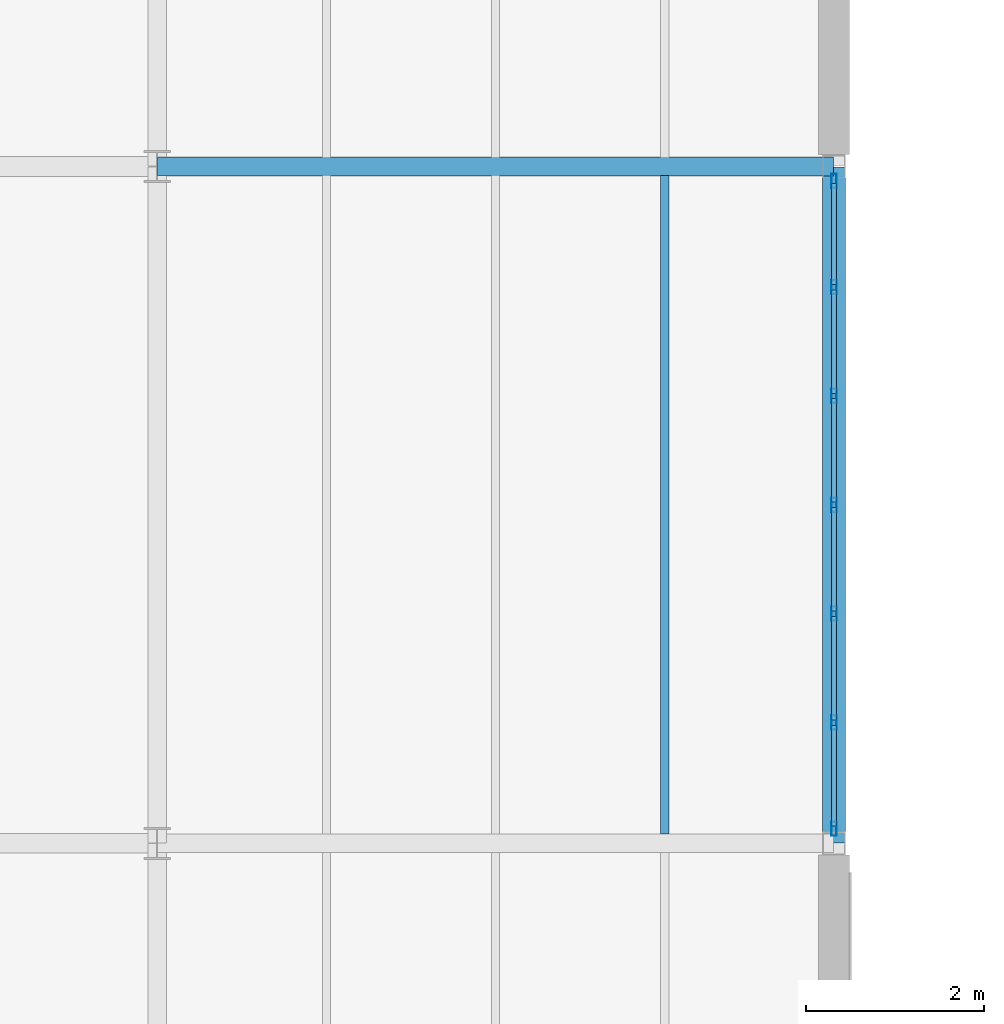
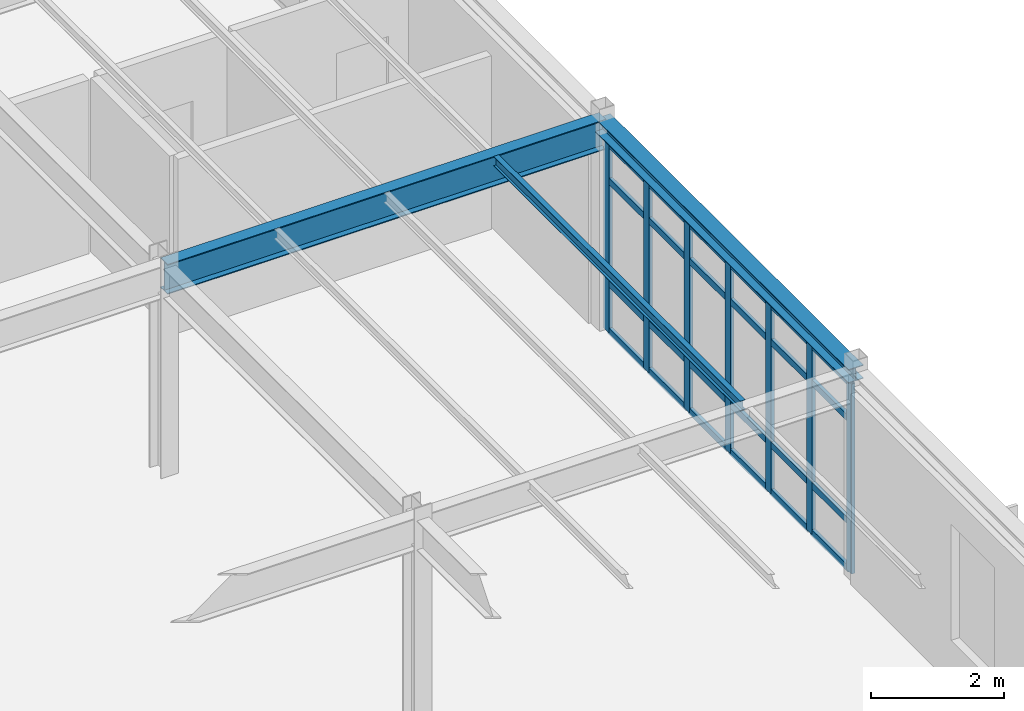
# One storey, part 69 of 189: 31 members, 3 beams, 1 element without a shape of its own.
"""IFC4 building model written with IfcOpenShell, lengths in metres."""

from ifc_helpers import new_model, si_unit, direction, frame, origin, origin_2d, place, context, subcontext, project, spatial, hollow_rectangle, i_section, extrude, material, layer, layer_set, material_profile, profile_set, type_object, element, aggregate, save


model = new_model("IFC4")

# Units and contexts
model_context = context("Model", 3, precision=1e-05, world=origin(), true_north=direction((0.0, 1.0)))
body_context = subcontext(model_context, "Body", "Model", "MODEL_VIEW")
ifc_project = project(units=[si_unit("LENGTHUNIT", "METRE"), si_unit("AREAUNIT", "SQUARE_METRE"), si_unit("VOLUMEUNIT", "CUBIC_METRE"), si_unit("PLANEANGLEUNIT", "RADIAN"), si_unit("MASSUNIT", "GRAM", prefix="KILO")], contexts=[model_context])

# Site, building, storey
site_placement = place(None, origin())
site = spatial("IfcSite", under=ifc_project, at=site_placement, CompositionType="ELEMENT")
building_placement = place(site_placement, origin())
building = spatial("IfcBuilding", under=site, at=building_placement, Name="Montecoro Central Library", CompositionType="ELEMENT")
storey_placement = place(building_placement, frame((0.0, 0.0, 9.179931640625)))
storey = spatial("IfcBuildingStorey", under=building, at=storey_placement, Name="L02", CompositionType="ELEMENT", Elevation=9.179931640625)

# Beams
ifc_material_1 = material(Name="Steel S355J2", Category="steel")
ifc_material_profile_1 = material_profile(ifc_material_1, i_section(OverallWidth=0.2099609375, OverallDepth=0.550048828125, WebThickness=0.010986328125, FlangeThickness=0.01708984375, at=origin_2d()), Name="IPE 550")
ifc_profile_set_1 = profile_set([ifc_material_profile_1], Name="Steel S355J2")
beam_type_1 = type_object("IfcBeamType", Name="BM-G-IPE550", PredefinedType="USERDEFINED", material=ifc_profile_set_1)
beam_1_placement = place(storey_placement, frame((35.405029296875, 96.199951171875, 3.550048828125), z_axis=(1.0, 0.0, 0.0), x_axis=(0.0, 1.0, 0.0)))
element("IfcBeam", 1, at=beam_1_placement, inside=storey, type_object=beam_type_1, Name="V4-L02-BX-56-N", ObjectType="GIRDER", PredefinedType="USERDEFINED", context=body_context, shape_type="SweptSolid", body=[
    extrude(i_section(OverallWidth=0.2099609375, OverallDepth=0.550048828125, WebThickness=0.010986328125, FlangeThickness=0.01708984375, at=origin_2d()), origin(), (0.0, 0.0, 1.0), 7.590087890625),
])
ifc_material_2 = material(Name="Steel S355", Category="steel")
ifc_material_profile_2 = material_profile(ifc_material_2, i_section(OverallWidth=0.091064453125, OverallDepth=0.179931640625, WebThickness=0.00537109375, FlangeThickness=0.008056640625, at=origin_2d()), Name="IPE 180")
ifc_profile_set_2 = profile_set([ifc_material_profile_2], Name="Steel S355")
beam_type_2 = type_object("IfcBeamType", Name="BM-J-IPE180", PredefinedType="JOIST", material=ifc_profile_set_2)
beam_2_placement = place(storey_placement, frame((41.10009765625, 88.701904296875, 3.735107421875), z_axis=(0.0, 1.0, 0.0), x_axis=(-1.0, 0.0, 0.0)))
element("IfcBeam", 2, at=beam_2_placement, inside=storey, type_object=beam_type_2, Name="V4-L02-JS-56-MN-3", PredefinedType="JOIST", context=body_context, shape_type="SweptSolid", body=[
    extrude(i_section(OverallWidth=0.091064453125, OverallDepth=0.179931640625, WebThickness=0.00537109375, FlangeThickness=0.008056640625, at=origin_2d()), origin(), (0.0, 0.0, 1.0), 7.39599609375),
])
ifc_material_profile_3 = material_profile(ifc_material_2, i_section(OverallWidth=0.260009765625, OverallDepth=0.25, WebThickness=0.007568359375, FlangeThickness=0.012451171875, at=origin_2d()), Name="HEA 260")
ifc_profile_set_3 = profile_set([ifc_material_profile_3], Name="Steel S355")
beam_type_3 = type_object("IfcBeamType", Name="BM-SP-HEA260", PredefinedType="SPANDREL", material=ifc_profile_set_3)
beam_3_placement = place(storey_placement, frame((43.0, 88.60498046875, 3.699951171875), z_axis=(0.0, 1.0, 0.0), x_axis=(-1.0, 0.0, 0.0)))
element("IfcBeam", 3, at=beam_3_placement, inside=storey, type_object=beam_type_3, Name="V4-L02-BY-6-MN", PredefinedType="SPANDREL", context=body_context, shape_type="SweptSolid", body=[
    extrude(i_section(OverallWidth=0.260009765625, OverallDepth=0.25, WebThickness=0.007568359375, FlangeThickness=0.012451171875, at=origin_2d()), origin(), (0.0, 0.0, 1.0), 7.590087890625),
])

# Curtain wall, members
ifc_material_3 = material(Name="Bronze-anodised aluminium and low-E glazing", Category="aluminium")
ifc_layer = layer(ifc_material_3, 0.159912109375)
ifc_layer_set = layer_set([ifc_layer], Name="Bronze-anodised aluminium and low-E glazing")
curtain_wall_type = type_object("IfcCurtainWallType", Name="CWT-047", PredefinedType="NOTDEFINED", material=ifc_layer_set)
curtain_wall_placement = place(storey_placement, origin())
curtain_wall = element("IfcCurtainWall", 4, at=curtain_wall_placement, inside=storey, type_object=curtain_wall_type, Name="V4-L02-CW-E2", PredefinedType="NOTDEFINED")
ifc_material_4 = material(Name="Bronze-anodised aluminium", Category="aluminium")
ifc_material_profile_4 = material_profile(ifc_material_4, hollow_rectangle(XDim=0.06005859375, YDim=0.159912109375, WallThickness=0.00390625, at=origin_2d()), Name="CWM 160x60x4.0")
ifc_profile_set_4 = profile_set([ifc_material_profile_4], Name="Bronze-anodised aluminium")
member_type_1 = type_object("IfcMemberType", Name="CWM-BRZ-60", PredefinedType="MULLION", material=ifc_profile_set_4)
member_1_placement = place(storey_placement, frame((43.0, 88.762939453125, 0.0), z_axis=(0.0, 0.0, 1.0), x_axis=(-1.0, 0.0, 0.0)))
member_1 = element("IfcMember", 5, at=member_1_placement, type_object=member_type_1, Name="CW-047 mullion 1", PredefinedType="MULLION", context=body_context, shape_type="SweptSolid", body=[
    extrude(hollow_rectangle(XDim=0.06005859375, YDim=0.159912109375, WallThickness=0.00390625, at=origin_2d()), origin(), (0.0, 0.0, 1.0), 3.47998046875),
])
member_2_placement = place(storey_placement, frame((43.0, 89.955322265625, 0.0), z_axis=(0.0, 0.0, 1.0), x_axis=(-1.0, 0.0, 0.0)))
member_2 = element("IfcMember", 6, at=member_2_placement, type_object=member_type_1, Name="CW-047 mullion 2", PredefinedType="MULLION", context=body_context, shape_type="SweptSolid", body=[
    extrude(hollow_rectangle(XDim=0.06005859375, YDim=0.159912109375, WallThickness=0.00390625, at=origin_2d()), origin(), (0.0, 0.0, 1.0), 3.47998046875),
])
member_3_placement = place(storey_placement, frame((43.0, 91.177734375, 0.0), z_axis=(0.0, 0.0, 1.0), x_axis=(-1.0, 0.0, 0.0)))
member_3 = element("IfcMember", 7, at=member_3_placement, type_object=member_type_1, Name="CW-047 mullion 3", PredefinedType="MULLION", context=body_context, shape_type="SweptSolid", body=[
    extrude(hollow_rectangle(XDim=0.06005859375, YDim=0.159912109375, WallThickness=0.00390625, at=origin_2d()), origin(), (0.0, 0.0, 1.0), 3.47998046875),
])
member_4_placement = place(storey_placement, frame((43.0, 92.39990234375, 0.0), z_axis=(0.0, 0.0, 1.0), x_axis=(-1.0, 0.0, 0.0)))
member_4 = element("IfcMember", 8, at=member_4_placement, type_object=member_type_1, Name="CW-047 mullion 4", PredefinedType="MULLION", context=body_context, shape_type="SweptSolid", body=[
    extrude(hollow_rectangle(XDim=0.06005859375, YDim=0.159912109375, WallThickness=0.00390625, at=origin_2d()), origin(), (0.0, 0.0, 1.0), 3.47998046875),
])
member_5_placement = place(storey_placement, frame((43.0, 93.622314453125, 0.0), z_axis=(0.0, 0.0, 1.0), x_axis=(-1.0, 0.0, 0.0)))
member_5 = element("IfcMember", 9, at=member_5_placement, type_object=member_type_1, Name="CW-047 mullion 5", PredefinedType="MULLION", context=body_context, shape_type="SweptSolid", body=[
    extrude(hollow_rectangle(XDim=0.06005859375, YDim=0.159912109375, WallThickness=0.00390625, at=origin_2d()), origin(), (0.0, 0.0, 1.0), 3.47998046875),
])
member_6_placement = place(storey_placement, frame((43.0, 94.8447265625, 0.0), z_axis=(0.0, 0.0, 1.0), x_axis=(-1.0, 0.0, 0.0)))
member_6 = element("IfcMember", 10, at=member_6_placement, type_object=member_type_1, Name="CW-047 mullion 6", PredefinedType="MULLION", context=body_context, shape_type="SweptSolid", body=[
    extrude(hollow_rectangle(XDim=0.06005859375, YDim=0.159912109375, WallThickness=0.00390625, at=origin_2d()), origin(), (0.0, 0.0, 1.0), 3.47998046875),
])
member_7_placement = place(storey_placement, frame((43.0, 96.037109375, 0.0), z_axis=(0.0, 0.0, 1.0), x_axis=(-1.0, 0.0, 0.0)))
member_7 = element("IfcMember", 11, at=member_7_placement, type_object=member_type_1, Name="CW-047 mullion 7", PredefinedType="MULLION", context=body_context, shape_type="SweptSolid", body=[
    extrude(hollow_rectangle(XDim=0.06005859375, YDim=0.159912109375, WallThickness=0.00390625, at=origin_2d()), origin(), (0.0, 0.0, 1.0), 3.47998046875),
])
ifc_material_profile_5 = material_profile(ifc_material_4, hollow_rectangle(XDim=0.06005859375, YDim=0.1201171875, WallThickness=0.00390625, at=origin_2d()), Name="CWT 120x60x4.0")
ifc_profile_set_5 = profile_set([ifc_material_profile_5], Name="Bronze-anodised aluminium")
member_type_2 = type_object("IfcMemberType", Name="CWT-BRZ-60", PredefinedType="USERDEFINED", material=ifc_profile_set_5)
member_8_placement = place(storey_placement, frame((43.0, 88.79296875, 0.030029296875), z_axis=(0.0, 1.0, 0.0), x_axis=(-1.0, 0.0, 0.0)))
member_8 = element("IfcMember", 12, at=member_8_placement, type_object=member_type_2, Name="CW-047 transom 1.1", ObjectType="TRANSOM", PredefinedType="USERDEFINED", context=body_context, shape_type="SweptSolid", body=[
    extrude(hollow_rectangle(XDim=0.06005859375, YDim=0.1201171875, WallThickness=0.00390625, at=origin_2d()), origin(), (0.0, 0.0, 1.0), 1.13232421875),
])
member_9_placement = place(storey_placement, frame((43.0, 88.79296875, 0.900146484375), z_axis=(0.0, 1.0, 0.0), x_axis=(-1.0, 0.0, 0.0)))
member_9 = element("IfcMember", 13, at=member_9_placement, type_object=member_type_2, Name="CW-047 transom 1.2", ObjectType="TRANSOM", PredefinedType="USERDEFINED", context=body_context, shape_type="SweptSolid", body=[
    extrude(hollow_rectangle(XDim=0.06005859375, YDim=0.1201171875, WallThickness=0.00390625, at=origin_2d()), origin(), (0.0, 0.0, 1.0), 1.13232421875),
])
member_10_placement = place(storey_placement, frame((43.0, 88.79296875, 2.780029296875), z_axis=(0.0, 1.0, 0.0), x_axis=(-1.0, 0.0, 0.0)))
member_10 = element("IfcMember", 14, at=member_10_placement, type_object=member_type_2, Name="CW-047 transom 1.3", ObjectType="TRANSOM", PredefinedType="USERDEFINED", context=body_context, shape_type="SweptSolid", body=[
    extrude(hollow_rectangle(XDim=0.06005859375, YDim=0.1201171875, WallThickness=0.00390625, at=origin_2d()), origin(), (0.0, 0.0, 1.0), 1.13232421875),
])
member_11_placement = place(storey_placement, frame((43.0, 88.79296875, 3.449951171875), z_axis=(0.0, 1.0, 0.0), x_axis=(-1.0, 0.0, 0.0)))
member_11 = element("IfcMember", 15, at=member_11_placement, type_object=member_type_2, Name="CW-047 transom 1.4", ObjectType="TRANSOM", PredefinedType="USERDEFINED", context=body_context, shape_type="SweptSolid", body=[
    extrude(hollow_rectangle(XDim=0.06005859375, YDim=0.1201171875, WallThickness=0.00390625, at=origin_2d()), origin(), (0.0, 0.0, 1.0), 1.13232421875),
])
member_12_placement = place(storey_placement, frame((43.0, 89.9853515625, 0.030029296875), z_axis=(0.0, 1.0, 0.0), x_axis=(-1.0, 0.0, 0.0)))
member_12 = element("IfcMember", 16, at=member_12_placement, type_object=member_type_2, Name="CW-047 transom 2.1", ObjectType="TRANSOM", PredefinedType="USERDEFINED", context=body_context, shape_type="SweptSolid", body=[
    extrude(hollow_rectangle(XDim=0.06005859375, YDim=0.1201171875, WallThickness=0.00390625, at=origin_2d()), origin(), (0.0, 0.0, 1.0), 1.162353515625),
])
member_13_placement = place(storey_placement, frame((43.0, 89.9853515625, 0.900146484375), z_axis=(0.0, 1.0, 0.0), x_axis=(-1.0, 0.0, 0.0)))
member_13 = element("IfcMember", 17, at=member_13_placement, type_object=member_type_2, Name="CW-047 transom 2.2", ObjectType="TRANSOM", PredefinedType="USERDEFINED", context=body_context, shape_type="SweptSolid", body=[
    extrude(hollow_rectangle(XDim=0.06005859375, YDim=0.1201171875, WallThickness=0.00390625, at=origin_2d()), origin(), (0.0, 0.0, 1.0), 1.162353515625),
])
member_14_placement = place(storey_placement, frame((43.0, 89.9853515625, 2.780029296875), z_axis=(0.0, 1.0, 0.0), x_axis=(-1.0, 0.0, 0.0)))
member_14 = element("IfcMember", 18, at=member_14_placement, type_object=member_type_2, Name="CW-047 transom 2.3", ObjectType="TRANSOM", PredefinedType="USERDEFINED", context=body_context, shape_type="SweptSolid", body=[
    extrude(hollow_rectangle(XDim=0.06005859375, YDim=0.1201171875, WallThickness=0.00390625, at=origin_2d()), origin(), (0.0, 0.0, 1.0), 1.162353515625),
])
member_15_placement = place(storey_placement, frame((43.0, 89.9853515625, 3.449951171875), z_axis=(0.0, 1.0, 0.0), x_axis=(-1.0, 0.0, 0.0)))
member_15 = element("IfcMember", 19, at=member_15_placement, type_object=member_type_2, Name="CW-047 transom 2.4", ObjectType="TRANSOM", PredefinedType="USERDEFINED", context=body_context, shape_type="SweptSolid", body=[
    extrude(hollow_rectangle(XDim=0.06005859375, YDim=0.1201171875, WallThickness=0.00390625, at=origin_2d()), origin(), (0.0, 0.0, 1.0), 1.162353515625),
])
member_16_placement = place(storey_placement, frame((43.0, 91.207763671875, 0.030029296875), z_axis=(0.0, 1.0, 0.0), x_axis=(-1.0, 0.0, 0.0)))
member_16 = element("IfcMember", 20, at=member_16_placement, type_object=member_type_2, Name="CW-047 transom 3.1", ObjectType="TRANSOM", PredefinedType="USERDEFINED", context=body_context, shape_type="SweptSolid", body=[
    extrude(hollow_rectangle(XDim=0.06005859375, YDim=0.1201171875, WallThickness=0.00390625, at=origin_2d()), origin(), (0.0, 0.0, 1.0), 1.162353515625),
])
member_17_placement = place(storey_placement, frame((43.0, 91.207763671875, 0.900146484375), z_axis=(0.0, 1.0, 0.0), x_axis=(-1.0, 0.0, 0.0)))
member_17 = element("IfcMember", 21, at=member_17_placement, type_object=member_type_2, Name="CW-047 transom 3.2", ObjectType="TRANSOM", PredefinedType="USERDEFINED", context=body_context, shape_type="SweptSolid", body=[
    extrude(hollow_rectangle(XDim=0.06005859375, YDim=0.1201171875, WallThickness=0.00390625, at=origin_2d()), origin(), (0.0, 0.0, 1.0), 1.162353515625),
])
member_18_placement = place(storey_placement, frame((43.0, 91.207763671875, 2.780029296875), z_axis=(0.0, 1.0, 0.0), x_axis=(-1.0, 0.0, 0.0)))
member_18 = element("IfcMember", 22, at=member_18_placement, type_object=member_type_2, Name="CW-047 transom 3.3", ObjectType="TRANSOM", PredefinedType="USERDEFINED", context=body_context, shape_type="SweptSolid", body=[
    extrude(hollow_rectangle(XDim=0.06005859375, YDim=0.1201171875, WallThickness=0.00390625, at=origin_2d()), origin(), (0.0, 0.0, 1.0), 1.162353515625),
])
member_19_placement = place(storey_placement, frame((43.0, 91.207763671875, 3.449951171875), z_axis=(0.0, 1.0, 0.0), x_axis=(-1.0, 0.0, 0.0)))
member_19 = element("IfcMember", 23, at=member_19_placement, type_object=member_type_2, Name="CW-047 transom 3.4", ObjectType="TRANSOM", PredefinedType="USERDEFINED", context=body_context, shape_type="SweptSolid", body=[
    extrude(hollow_rectangle(XDim=0.06005859375, YDim=0.1201171875, WallThickness=0.00390625, at=origin_2d()), origin(), (0.0, 0.0, 1.0), 1.162353515625),
])
member_20_placement = place(storey_placement, frame((43.0, 92.429931640625, 0.030029296875), z_axis=(0.0, 1.0, 0.0), x_axis=(-1.0, 0.0, 0.0)))
member_20 = element("IfcMember", 24, at=member_20_placement, type_object=member_type_2, Name="CW-047 transom 4.1", ObjectType="TRANSOM", PredefinedType="USERDEFINED", context=body_context, shape_type="SweptSolid", body=[
    extrude(hollow_rectangle(XDim=0.06005859375, YDim=0.1201171875, WallThickness=0.00390625, at=origin_2d()), origin(), (0.0, 0.0, 1.0), 1.162353515625),
])
member_21_placement = place(storey_placement, frame((43.0, 92.429931640625, 0.900146484375), z_axis=(0.0, 1.0, 0.0), x_axis=(-1.0, 0.0, 0.0)))
member_21 = element("IfcMember", 25, at=member_21_placement, type_object=member_type_2, Name="CW-047 transom 4.2", ObjectType="TRANSOM", PredefinedType="USERDEFINED", context=body_context, shape_type="SweptSolid", body=[
    extrude(hollow_rectangle(XDim=0.06005859375, YDim=0.1201171875, WallThickness=0.00390625, at=origin_2d()), origin(), (0.0, 0.0, 1.0), 1.162353515625),
])
member_22_placement = place(storey_placement, frame((43.0, 92.429931640625, 2.780029296875), z_axis=(0.0, 1.0, 0.0), x_axis=(-1.0, 0.0, 0.0)))
member_22 = element("IfcMember", 26, at=member_22_placement, type_object=member_type_2, Name="CW-047 transom 4.3", ObjectType="TRANSOM", PredefinedType="USERDEFINED", context=body_context, shape_type="SweptSolid", body=[
    extrude(hollow_rectangle(XDim=0.06005859375, YDim=0.1201171875, WallThickness=0.00390625, at=origin_2d()), origin(), (0.0, 0.0, 1.0), 1.162353515625),
])
member_23_placement = place(storey_placement, frame((43.0, 92.429931640625, 3.449951171875), z_axis=(0.0, 1.0, 0.0), x_axis=(-1.0, 0.0, 0.0)))
member_23 = element("IfcMember", 27, at=member_23_placement, type_object=member_type_2, Name="CW-047 transom 4.4", ObjectType="TRANSOM", PredefinedType="USERDEFINED", context=body_context, shape_type="SweptSolid", body=[
    extrude(hollow_rectangle(XDim=0.06005859375, YDim=0.1201171875, WallThickness=0.00390625, at=origin_2d()), origin(), (0.0, 0.0, 1.0), 1.162353515625),
])
member_24_placement = place(storey_placement, frame((43.0, 93.65234375, 0.030029296875), z_axis=(0.0, 1.0, 0.0), x_axis=(-1.0, 0.0, 0.0)))
member_24 = element("IfcMember", 28, at=member_24_placement, type_object=member_type_2, Name="CW-047 transom 5.1", ObjectType="TRANSOM", PredefinedType="USERDEFINED", context=body_context, shape_type="SweptSolid", body=[
    extrude(hollow_rectangle(XDim=0.06005859375, YDim=0.1201171875, WallThickness=0.00390625, at=origin_2d()), origin(), (0.0, 0.0, 1.0), 1.162353515625),
])
member_25_placement = place(storey_placement, frame((43.0, 93.65234375, 0.900146484375), z_axis=(0.0, 1.0, 0.0), x_axis=(-1.0, 0.0, 0.0)))
member_25 = element("IfcMember", 29, at=member_25_placement, type_object=member_type_2, Name="CW-047 transom 5.2", ObjectType="TRANSOM", PredefinedType="USERDEFINED", context=body_context, shape_type="SweptSolid", body=[
    extrude(hollow_rectangle(XDim=0.06005859375, YDim=0.1201171875, WallThickness=0.00390625, at=origin_2d()), origin(), (0.0, 0.0, 1.0), 1.162353515625),
])
member_26_placement = place(storey_placement, frame((43.0, 93.65234375, 2.780029296875), z_axis=(0.0, 1.0, 0.0), x_axis=(-1.0, 0.0, 0.0)))
member_26 = element("IfcMember", 30, at=member_26_placement, type_object=member_type_2, Name="CW-047 transom 5.3", ObjectType="TRANSOM", PredefinedType="USERDEFINED", context=body_context, shape_type="SweptSolid", body=[
    extrude(hollow_rectangle(XDim=0.06005859375, YDim=0.1201171875, WallThickness=0.00390625, at=origin_2d()), origin(), (0.0, 0.0, 1.0), 1.162353515625),
])
member_27_placement = place(storey_placement, frame((43.0, 93.65234375, 3.449951171875), z_axis=(0.0, 1.0, 0.0), x_axis=(-1.0, 0.0, 0.0)))
member_27 = element("IfcMember", 31, at=member_27_placement, type_object=member_type_2, Name="CW-047 transom 5.4", ObjectType="TRANSOM", PredefinedType="USERDEFINED", context=body_context, shape_type="SweptSolid", body=[
    extrude(hollow_rectangle(XDim=0.06005859375, YDim=0.1201171875, WallThickness=0.00390625, at=origin_2d()), origin(), (0.0, 0.0, 1.0), 1.162353515625),
])
member_28_placement = place(storey_placement, frame((43.0, 94.874755859375, 0.030029296875), z_axis=(0.0, 1.0, 0.0), x_axis=(-1.0, 0.0, 0.0)))
member_28 = element("IfcMember", 32, at=member_28_placement, type_object=member_type_2, Name="CW-047 transom 6.1", ObjectType="TRANSOM", PredefinedType="USERDEFINED", context=body_context, shape_type="SweptSolid", body=[
    extrude(hollow_rectangle(XDim=0.06005859375, YDim=0.1201171875, WallThickness=0.00390625, at=origin_2d()), origin(), (0.0, 0.0, 1.0), 1.13232421875),
])
member_29_placement = place(storey_placement, frame((43.0, 94.874755859375, 0.900146484375), z_axis=(0.0, 1.0, 0.0), x_axis=(-1.0, 0.0, 0.0)))
member_29 = element("IfcMember", 33, at=member_29_placement, type_object=member_type_2, Name="CW-047 transom 6.2", ObjectType="TRANSOM", PredefinedType="USERDEFINED", context=body_context, shape_type="SweptSolid", body=[
    extrude(hollow_rectangle(XDim=0.06005859375, YDim=0.1201171875, WallThickness=0.00390625, at=origin_2d()), origin(), (0.0, 0.0, 1.0), 1.13232421875),
])
member_30_placement = place(storey_placement, frame((43.0, 94.874755859375, 2.780029296875), z_axis=(0.0, 1.0, 0.0), x_axis=(-1.0, 0.0, 0.0)))
member_30 = element("IfcMember", 34, at=member_30_placement, type_object=member_type_2, Name="CW-047 transom 6.3", ObjectType="TRANSOM", PredefinedType="USERDEFINED", context=body_context, shape_type="SweptSolid", body=[
    extrude(hollow_rectangle(XDim=0.06005859375, YDim=0.1201171875, WallThickness=0.00390625, at=origin_2d()), origin(), (0.0, 0.0, 1.0), 1.13232421875),
])
member_31_placement = place(storey_placement, frame((43.0, 94.874755859375, 3.449951171875), z_axis=(0.0, 1.0, 0.0), x_axis=(-1.0, 0.0, 0.0)))
member_31 = element("IfcMember", 35, at=member_31_placement, type_object=member_type_2, Name="CW-047 transom 6.4", ObjectType="TRANSOM", PredefinedType="USERDEFINED", context=body_context, shape_type="SweptSolid", body=[
    extrude(hollow_rectangle(XDim=0.06005859375, YDim=0.1201171875, WallThickness=0.00390625, at=origin_2d()), origin(), (0.0, 0.0, 1.0), 1.13232421875),
])
aggregate(curtain_wall, [member_1, member_2, member_3, member_4, member_5, member_6, member_7, member_8, member_9, member_10, member_11, member_12, member_13, member_14, member_15, member_16, member_17, member_18, member_19, member_20, member_21, member_22, member_23, member_24, member_25, member_26, member_27, member_28, member_29, member_30, member_31])

save(model, "model.ifc")
